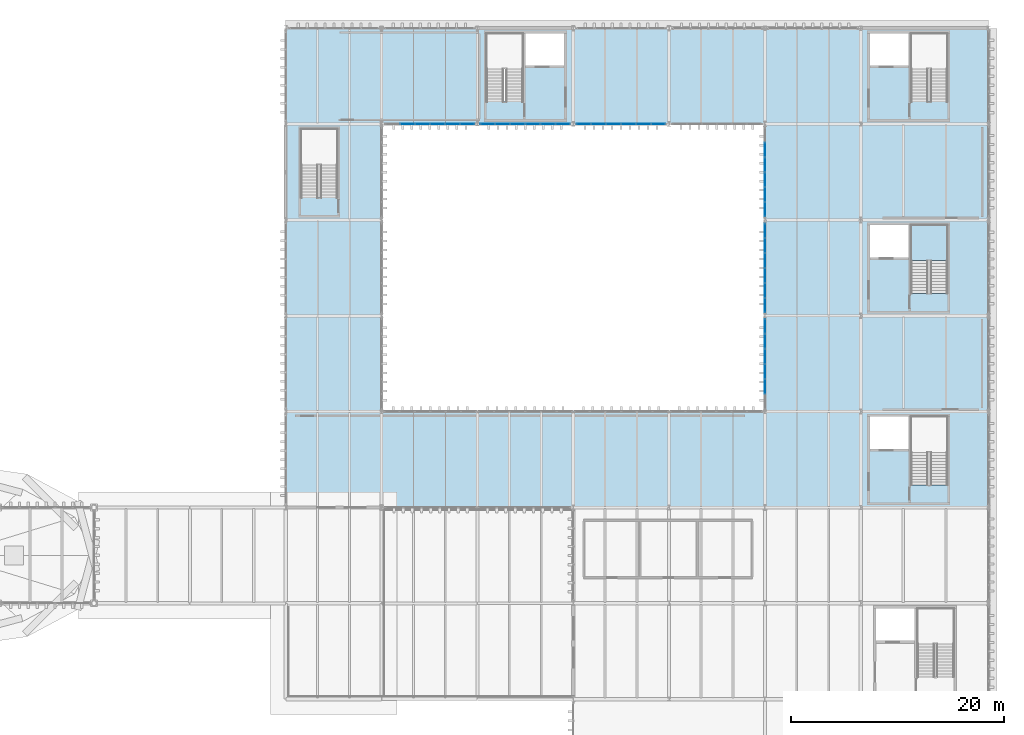
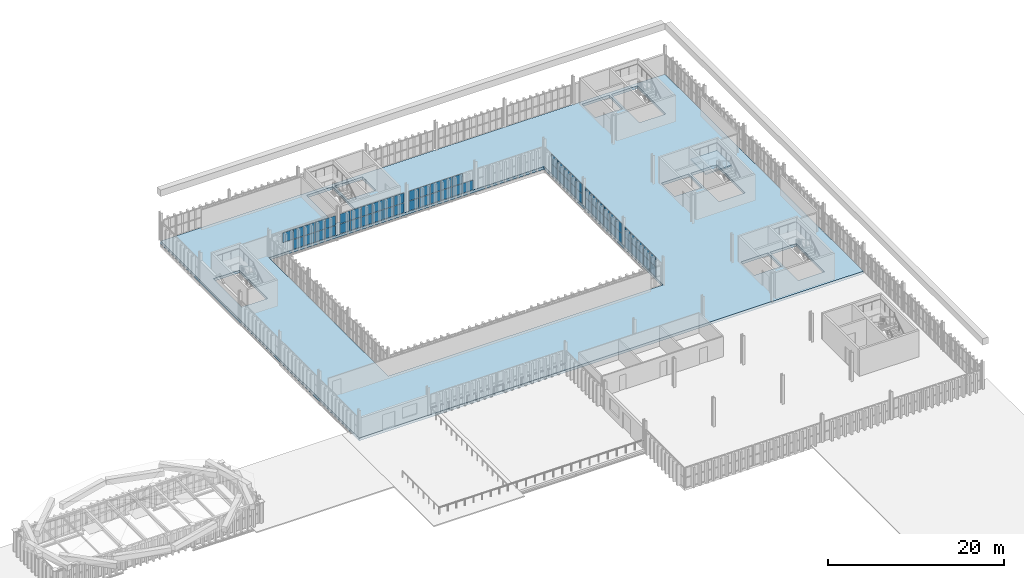
# One storey, part 85 of 102: 64 plates, 2 slabs, 7 elements without a shape of their own.
"""IFC4 building model written with IfcOpenShell, lengths in metres."""

from ifc_helpers import new_model, si_unit, direction, frame, origin, origin_2d, place, context, subcontext, project, spatial, polyline, rectangle, outline, extrude, material, layer, layer_set, type_object, element, aggregate, save


model = new_model("IFC4")

# Units and contexts
model_context = context("Model", 3, precision=1e-05, world=origin(), true_north=direction((0.0, 1.0)))
body_context = subcontext(model_context, "Body", "Model", "MODEL_VIEW")
ifc_project = project(units=[si_unit("LENGTHUNIT", "METRE"), si_unit("AREAUNIT", "SQUARE_METRE"), si_unit("VOLUMEUNIT", "CUBIC_METRE"), si_unit("PLANEANGLEUNIT", "RADIAN"), si_unit("MASSUNIT", "GRAM", prefix="KILO")], contexts=[model_context])

# Site, building, storey
site_placement = place(None, origin())
site = spatial("IfcSite", under=ifc_project, at=site_placement, CompositionType="ELEMENT")
building_placement = place(site_placement, origin())
building = spatial("IfcBuilding", under=site, at=building_placement, Name="Barlavento Convention Centre", CompositionType="ELEMENT")
storey_placement = place(building_placement, frame((0.0, 0.0, 22.800048828125)))
storey = spatial("IfcBuildingStorey", under=building, at=storey_placement, Name="L04", CompositionType="ELEMENT", Elevation=22.800048828125)

# Curtain wall, plates
ifc_material_1 = material(Name="Powder-coated aluminium and Low-E glass", Category="aluminium")
ifc_layer_1 = layer(ifc_material_1, 0.179931640625)
ifc_layer_set_1 = layer_set([ifc_layer_1], Name="ARC-CW-PATIO-B")
curtain_wall_type = type_object("IfcCurtainWallType", Name="ARC-CW-PATIO-B", PredefinedType="NOTDEFINED", material=ifc_layer_set_1)
curtain_wall_1_placement = place(storey_placement, origin())
curtain_wall_1 = element("IfcCurtainWall", 1, at=curtain_wall_1_placement, inside=storey, type_object=curtain_wall_type, Name="L04 unitised curtain wall CW12", PredefinedType="NOTDEFINED")
ifc_material_2 = material(Name="Double-silver Low-E insulated glass", Category="glass")
ifc_layer_2 = layer(ifc_material_2, 0.028076171875)
ifc_layer_set_2 = layer_set([ifc_layer_2], Name="ARC-CWP-GLZ28")
plate_type = type_object("IfcPlateType", Name="ARC-CWP-GLZ28", PredefinedType="CURTAIN_PANEL", material=ifc_layer_set_2)
plate_1_placement = place(storey_placement, frame((137.425048828125, 90.0, 1.455078125), z_axis=(0.0, 0.0, 1.0), x_axis=(1.0, 0.0, 0.0)))
plate_1 = element("IfcPlate", 2, at=plate_1_placement, type_object=plate_type, Name="CW12 panel 2.2", PredefinedType="CURTAIN_PANEL", context=body_context, shape_type="SweptSolid", body=[
    extrude(rectangle(XDim=1.35009765625, YDim=0.028076171875, at=origin_2d()), origin(), (0.0, 0.0, 1.0), 1.3349609375),
])
plate_2_placement = place(storey_placement, frame((138.8349609375, 90.0, 0.06005859375), z_axis=(0.0, 0.0, 1.0), x_axis=(1.0, 0.0, 0.0)))
plate_2 = element("IfcPlate", 3, at=plate_2_placement, type_object=plate_type, Name="CW12 panel 3.1", PredefinedType="CURTAIN_PANEL", context=body_context, shape_type="SweptSolid", body=[
    extrude(rectangle(XDim=1.35009765625, YDim=0.028076171875, at=origin_2d()), origin(), (0.0, 0.0, 1.0), 1.3349609375),
])
plate_3_placement = place(storey_placement, frame((138.8349609375, 90.0, 1.455078125), z_axis=(0.0, 0.0, 1.0), x_axis=(1.0, 0.0, 0.0)))
plate_3 = element("IfcPlate", 4, at=plate_3_placement, type_object=plate_type, Name="CW12 panel 3.2", PredefinedType="CURTAIN_PANEL", context=body_context, shape_type="SweptSolid", body=[
    extrude(rectangle(XDim=1.35009765625, YDim=0.028076171875, at=origin_2d()), origin(), (0.0, 0.0, 1.0), 1.3349609375),
])
plate_4_placement = place(storey_placement, frame((140.2451171875, 90.0, 0.06005859375), z_axis=(0.0, 0.0, 1.0), x_axis=(1.0, 0.0, 0.0)))
plate_4 = element("IfcPlate", 5, at=plate_4_placement, type_object=plate_type, Name="CW12 panel 4.1", PredefinedType="CURTAIN_PANEL", context=body_context, shape_type="SweptSolid", body=[
    extrude(rectangle(XDim=1.35009765625, YDim=0.028076171875, at=origin_2d()), origin(), (0.0, 0.0, 1.0), 1.3349609375),
])
plate_5_placement = place(storey_placement, frame((140.2451171875, 90.0, 1.455078125), z_axis=(0.0, 0.0, 1.0), x_axis=(1.0, 0.0, 0.0)))
plate_5 = element("IfcPlate", 6, at=plate_5_placement, type_object=plate_type, Name="CW12 panel 4.2", PredefinedType="CURTAIN_PANEL", context=body_context, shape_type="SweptSolid", body=[
    extrude(rectangle(XDim=1.35009765625, YDim=0.028076171875, at=origin_2d()), origin(), (0.0, 0.0, 1.0), 1.3349609375),
])
plate_6_placement = place(storey_placement, frame((141.655029296875, 90.0, 0.06005859375), z_axis=(0.0, 0.0, 1.0), x_axis=(1.0, 0.0, 0.0)))
plate_6 = element("IfcPlate", 7, at=plate_6_placement, type_object=plate_type, Name="CW12 panel 5.1", PredefinedType="CURTAIN_PANEL", context=body_context, shape_type="SweptSolid", body=[
    extrude(rectangle(XDim=1.35009765625, YDim=0.028076171875, at=origin_2d()), origin(), (0.0, 0.0, 1.0), 1.3349609375),
])
plate_7_placement = place(storey_placement, frame((141.655029296875, 90.0, 1.455078125), z_axis=(0.0, 0.0, 1.0), x_axis=(1.0, 0.0, 0.0)))
plate_7 = element("IfcPlate", 8, at=plate_7_placement, type_object=plate_type, Name="CW12 panel 5.2", PredefinedType="CURTAIN_PANEL", context=body_context, shape_type="SweptSolid", body=[
    extrude(rectangle(XDim=1.35009765625, YDim=0.028076171875, at=origin_2d()), origin(), (0.0, 0.0, 1.0), 1.3349609375),
])
plate_8_placement = place(storey_placement, frame((143.050048828125, 90.0, 0.06005859375), z_axis=(0.0, 0.0, 1.0), x_axis=(1.0, 0.0, 0.0)))
plate_8 = element("IfcPlate", 9, at=plate_8_placement, type_object=plate_type, Name="CW12 panel 6.1", PredefinedType="CURTAIN_PANEL", context=body_context, shape_type="SweptSolid", body=[
    extrude(rectangle(XDim=1.320068359375, YDim=0.028076171875, at=origin_2d()), origin(), (0.0, 0.0, 1.0), 1.3349609375),
])
plate_9_placement = place(storey_placement, frame((143.050048828125, 90.0, 1.455078125), z_axis=(0.0, 0.0, 1.0), x_axis=(1.0, 0.0, 0.0)))
plate_9 = element("IfcPlate", 10, at=plate_9_placement, type_object=plate_type, Name="CW12 panel 6.2", PredefinedType="CURTAIN_PANEL", context=body_context, shape_type="SweptSolid", body=[
    extrude(rectangle(XDim=1.320068359375, YDim=0.028076171875, at=origin_2d()), origin(), (0.0, 0.0, 1.0), 1.3349609375),
])
aggregate(curtain_wall_1, [plate_1, plate_2, plate_3, plate_4, plate_5, plate_6, plate_7, plate_8, plate_9])

curtain_wall_2_placement = place(storey_placement, origin())
curtain_wall_2 = element("IfcCurtainWall", 11, at=curtain_wall_2_placement, inside=storey, type_object=curtain_wall_type, Name="L04 unitised curtain wall CW12", PredefinedType="NOTDEFINED")
plate_10_placement = place(storey_placement, frame((144.9541015625, 90.0, 0.06005859375), z_axis=(0.0, 0.0, 1.0), x_axis=(1.0, 0.0, 0.0)))
plate_10 = element("IfcPlate", 12, at=plate_10_placement, type_object=plate_type, Name="CW12 panel 1.1", PredefinedType="CURTAIN_PANEL", context=body_context, shape_type="SweptSolid", body=[
    extrude(rectangle(XDim=1.328369140625, YDim=0.028076171875, at=origin_2d()), origin(), (0.0, 0.0, 1.0), 1.3349609375),
])
plate_11_placement = place(storey_placement, frame((144.9541015625, 90.0, 1.455078125), z_axis=(0.0, 0.0, 1.0), x_axis=(1.0, 0.0, 0.0)))
plate_11 = element("IfcPlate", 13, at=plate_11_placement, type_object=plate_type, Name="CW12 panel 1.2", PredefinedType="CURTAIN_PANEL", context=body_context, shape_type="SweptSolid", body=[
    extrude(rectangle(XDim=1.328369140625, YDim=0.028076171875, at=origin_2d()), origin(), (0.0, 0.0, 1.0), 1.3349609375),
])
plate_12_placement = place(storey_placement, frame((146.357421875, 90.0, 0.06005859375), z_axis=(0.0, 0.0, 1.0), x_axis=(1.0, 0.0, 0.0)))
plate_12 = element("IfcPlate", 14, at=plate_12_placement, type_object=plate_type, Name="CW12 panel 2.1", PredefinedType="CURTAIN_PANEL", context=body_context, shape_type="SweptSolid", body=[
    extrude(rectangle(XDim=1.3583984375, YDim=0.028076171875, at=origin_2d()), origin(), (0.0, 0.0, 1.0), 1.3349609375),
])
plate_13_placement = place(storey_placement, frame((146.357421875, 90.0, 1.455078125), z_axis=(0.0, 0.0, 1.0), x_axis=(1.0, 0.0, 0.0)))
plate_13 = element("IfcPlate", 15, at=plate_13_placement, type_object=plate_type, Name="CW12 panel 2.2", PredefinedType="CURTAIN_PANEL", context=body_context, shape_type="SweptSolid", body=[
    extrude(rectangle(XDim=1.3583984375, YDim=0.028076171875, at=origin_2d()), origin(), (0.0, 0.0, 1.0), 1.3349609375),
])
plate_14_placement = place(storey_placement, frame((147.77587890625, 90.0, 0.06005859375), z_axis=(0.0, 0.0, 1.0), x_axis=(1.0, 0.0, 0.0)))
plate_14 = element("IfcPlate", 16, at=plate_14_placement, type_object=plate_type, Name="CW12 panel 3.1", PredefinedType="CURTAIN_PANEL", context=body_context, shape_type="SweptSolid", body=[
    extrude(rectangle(XDim=1.3583984375, YDim=0.028076171875, at=origin_2d()), origin(), (0.0, 0.0, 1.0), 1.3349609375),
])
plate_15_placement = place(storey_placement, frame((147.77587890625, 90.0, 1.455078125), z_axis=(0.0, 0.0, 1.0), x_axis=(1.0, 0.0, 0.0)))
plate_15 = element("IfcPlate", 17, at=plate_15_placement, type_object=plate_type, Name="CW12 panel 3.2", PredefinedType="CURTAIN_PANEL", context=body_context, shape_type="SweptSolid", body=[
    extrude(rectangle(XDim=1.3583984375, YDim=0.028076171875, at=origin_2d()), origin(), (0.0, 0.0, 1.0), 1.3349609375),
])
plate_16_placement = place(storey_placement, frame((149.194091796875, 90.0, 0.06005859375), z_axis=(0.0, 0.0, 1.0), x_axis=(1.0, 0.0, 0.0)))
plate_16 = element("IfcPlate", 18, at=plate_16_placement, type_object=plate_type, Name="CW12 panel 4.1", PredefinedType="CURTAIN_PANEL", context=body_context, shape_type="SweptSolid", body=[
    extrude(rectangle(XDim=1.3583984375, YDim=0.028076171875, at=origin_2d()), origin(), (0.0, 0.0, 1.0), 1.3349609375),
])
plate_17_placement = place(storey_placement, frame((149.194091796875, 90.0, 1.455078125), z_axis=(0.0, 0.0, 1.0), x_axis=(1.0, 0.0, 0.0)))
plate_17 = element("IfcPlate", 19, at=plate_17_placement, type_object=plate_type, Name="CW12 panel 4.2", PredefinedType="CURTAIN_PANEL", context=body_context, shape_type="SweptSolid", body=[
    extrude(rectangle(XDim=1.3583984375, YDim=0.028076171875, at=origin_2d()), origin(), (0.0, 0.0, 1.0), 1.3349609375),
])
plate_18_placement = place(storey_placement, frame((150.612548828125, 90.0, 0.06005859375), z_axis=(0.0, 0.0, 1.0), x_axis=(1.0, 0.0, 0.0)))
plate_18 = element("IfcPlate", 20, at=plate_18_placement, type_object=plate_type, Name="CW12 panel 5.1", PredefinedType="CURTAIN_PANEL", context=body_context, shape_type="SweptSolid", body=[
    extrude(rectangle(XDim=1.3583984375, YDim=0.028076171875, at=origin_2d()), origin(), (0.0, 0.0, 1.0), 1.3349609375),
])
plate_19_placement = place(storey_placement, frame((150.612548828125, 90.0, 1.455078125), z_axis=(0.0, 0.0, 1.0), x_axis=(1.0, 0.0, 0.0)))
plate_19 = element("IfcPlate", 21, at=plate_19_placement, type_object=plate_type, Name="CW12 panel 5.2", PredefinedType="CURTAIN_PANEL", context=body_context, shape_type="SweptSolid", body=[
    extrude(rectangle(XDim=1.3583984375, YDim=0.028076171875, at=origin_2d()), origin(), (0.0, 0.0, 1.0), 1.3349609375),
])
plate_20_placement = place(storey_placement, frame((152.015869140625, 90.0, 0.06005859375), z_axis=(0.0, 0.0, 1.0), x_axis=(1.0, 0.0, 0.0)))
plate_20 = element("IfcPlate", 22, at=plate_20_placement, type_object=plate_type, Name="CW12 panel 6.1", PredefinedType="CURTAIN_PANEL", context=body_context, shape_type="SweptSolid", body=[
    extrude(rectangle(XDim=1.328369140625, YDim=0.028076171875, at=origin_2d()), origin(), (0.0, 0.0, 1.0), 1.3349609375),
])
plate_21_placement = place(storey_placement, frame((152.015869140625, 90.0, 1.455078125), z_axis=(0.0, 0.0, 1.0), x_axis=(1.0, 0.0, 0.0)))
plate_21 = element("IfcPlate", 23, at=plate_21_placement, type_object=plate_type, Name="CW12 panel 6.2", PredefinedType="CURTAIN_PANEL", context=body_context, shape_type="SweptSolid", body=[
    extrude(rectangle(XDim=1.328369140625, YDim=0.028076171875, at=origin_2d()), origin(), (0.0, 0.0, 1.0), 1.3349609375),
])
aggregate(curtain_wall_2, [plate_10, plate_11, plate_12, plate_13, plate_14, plate_15, plate_16, plate_17, plate_18, plate_19, plate_20, plate_21])

curtain_wall_3_placement = place(storey_placement, origin())
curtain_wall_3 = element("IfcCurtainWall", 24, at=curtain_wall_3_placement, inside=storey, type_object=curtain_wall_type, Name="L04 unitised curtain wall CW12", PredefinedType="NOTDEFINED")
plate_22_placement = place(storey_placement, frame((153.9794921875, 90.0, 0.06005859375), z_axis=(0.0, 0.0, 1.0), x_axis=(1.0, 0.0, 0.0)))
plate_22 = element("IfcPlate", 25, at=plate_22_placement, type_object=plate_type, Name="CW12 panel 1.1", PredefinedType="CURTAIN_PANEL", context=body_context, shape_type="SweptSolid", body=[
    extrude(rectangle(XDim=1.319091796875, YDim=0.028076171875, at=origin_2d()), origin(), (0.0, 0.0, 1.0), 1.3349609375),
])
plate_23_placement = place(storey_placement, frame((153.9794921875, 90.0, 1.455078125), z_axis=(0.0, 0.0, 1.0), x_axis=(1.0, 0.0, 0.0)))
plate_23 = element("IfcPlate", 26, at=plate_23_placement, type_object=plate_type, Name="CW12 panel 1.2", PredefinedType="CURTAIN_PANEL", context=body_context, shape_type="SweptSolid", body=[
    extrude(rectangle(XDim=1.319091796875, YDim=0.028076171875, at=origin_2d()), origin(), (0.0, 0.0, 1.0), 1.3349609375),
])
plate_24_placement = place(storey_placement, frame((155.373779296875, 90.0, 0.06005859375), z_axis=(0.0, 0.0, 1.0), x_axis=(1.0, 0.0, 0.0)))
plate_24 = element("IfcPlate", 27, at=plate_24_placement, type_object=plate_type, Name="CW12 panel 2.1", PredefinedType="CURTAIN_PANEL", context=body_context, shape_type="SweptSolid", body=[
    extrude(rectangle(XDim=1.34912109375, YDim=0.028076171875, at=origin_2d()), origin(), (0.0, 0.0, 1.0), 1.3349609375),
])
plate_25_placement = place(storey_placement, frame((155.373779296875, 90.0, 1.455078125), z_axis=(0.0, 0.0, 1.0), x_axis=(1.0, 0.0, 0.0)))
plate_25 = element("IfcPlate", 28, at=plate_25_placement, type_object=plate_type, Name="CW12 panel 2.2", PredefinedType="CURTAIN_PANEL", context=body_context, shape_type="SweptSolid", body=[
    extrude(rectangle(XDim=1.34912109375, YDim=0.028076171875, at=origin_2d()), origin(), (0.0, 0.0, 1.0), 1.3349609375),
])
plate_26_placement = place(storey_placement, frame((156.782958984375, 90.0, 0.06005859375), z_axis=(0.0, 0.0, 1.0), x_axis=(1.0, 0.0, 0.0)))
plate_26 = element("IfcPlate", 29, at=plate_26_placement, type_object=plate_type, Name="CW12 panel 3.1", PredefinedType="CURTAIN_PANEL", context=body_context, shape_type="SweptSolid", body=[
    extrude(rectangle(XDim=1.34912109375, YDim=0.028076171875, at=origin_2d()), origin(), (0.0, 0.0, 1.0), 1.3349609375),
])
plate_27_placement = place(storey_placement, frame((156.782958984375, 90.0, 1.455078125), z_axis=(0.0, 0.0, 1.0), x_axis=(1.0, 0.0, 0.0)))
plate_27 = element("IfcPlate", 30, at=plate_27_placement, type_object=plate_type, Name="CW12 panel 3.2", PredefinedType="CURTAIN_PANEL", context=body_context, shape_type="SweptSolid", body=[
    extrude(rectangle(XDim=1.34912109375, YDim=0.028076171875, at=origin_2d()), origin(), (0.0, 0.0, 1.0), 1.3349609375),
])
plate_28_placement = place(storey_placement, frame((158.192138671875, 90.0, 0.06005859375), z_axis=(0.0, 0.0, 1.0), x_axis=(1.0, 0.0, 0.0)))
plate_28 = element("IfcPlate", 31, at=plate_28_placement, type_object=plate_type, Name="CW12 panel 4.1", PredefinedType="CURTAIN_PANEL", context=body_context, shape_type="SweptSolid", body=[
    extrude(rectangle(XDim=1.34912109375, YDim=0.028076171875, at=origin_2d()), origin(), (0.0, 0.0, 1.0), 1.3349609375),
])
plate_29_placement = place(storey_placement, frame((158.192138671875, 90.0, 1.455078125), z_axis=(0.0, 0.0, 1.0), x_axis=(1.0, 0.0, 0.0)))
plate_29 = element("IfcPlate", 32, at=plate_29_placement, type_object=plate_type, Name="CW12 panel 4.2", PredefinedType="CURTAIN_PANEL", context=body_context, shape_type="SweptSolid", body=[
    extrude(rectangle(XDim=1.34912109375, YDim=0.028076171875, at=origin_2d()), origin(), (0.0, 0.0, 1.0), 1.3349609375),
])
plate_30_placement = place(storey_placement, frame((159.601318359375, 90.0, 0.06005859375), z_axis=(0.0, 0.0, 1.0), x_axis=(1.0, 0.0, 0.0)))
plate_30 = element("IfcPlate", 33, at=plate_30_placement, type_object=plate_type, Name="CW12 panel 5.1", PredefinedType="CURTAIN_PANEL", context=body_context, shape_type="SweptSolid", body=[
    extrude(rectangle(XDim=1.34912109375, YDim=0.028076171875, at=origin_2d()), origin(), (0.0, 0.0, 1.0), 1.3349609375),
])
plate_31_placement = place(storey_placement, frame((159.601318359375, 90.0, 1.455078125), z_axis=(0.0, 0.0, 1.0), x_axis=(1.0, 0.0, 0.0)))
plate_31 = element("IfcPlate", 34, at=plate_31_placement, type_object=plate_type, Name="CW12 panel 5.2", PredefinedType="CURTAIN_PANEL", context=body_context, shape_type="SweptSolid", body=[
    extrude(rectangle(XDim=1.34912109375, YDim=0.028076171875, at=origin_2d()), origin(), (0.0, 0.0, 1.0), 1.3349609375),
])
plate_32_placement = place(storey_placement, frame((160.995361328125, 90.0, 0.06005859375), z_axis=(0.0, 0.0, 1.0), x_axis=(1.0, 0.0, 0.0)))
plate_32 = element("IfcPlate", 35, at=plate_32_placement, type_object=plate_type, Name="CW12 panel 6.1", PredefinedType="CURTAIN_PANEL", context=body_context, shape_type="SweptSolid", body=[
    extrude(rectangle(XDim=1.319091796875, YDim=0.028076171875, at=origin_2d()), origin(), (0.0, 0.0, 1.0), 1.3349609375),
])
aggregate(curtain_wall_3, [plate_22, plate_23, plate_24, plate_25, plate_26, plate_27, plate_28, plate_29, plate_30, plate_31, plate_32])

curtain_wall_4_placement = place(storey_placement, origin())
curtain_wall_4 = element("IfcCurtainWall", 36, at=curtain_wall_4_placement, inside=storey, type_object=curtain_wall_type, Name="L04 unitised curtain wall CW12", PredefinedType="NOTDEFINED")
plate_33_placement = place(storey_placement, frame((171.0, 65.357421875, 0.06005859375), z_axis=(0.0, 0.0, 1.0), x_axis=(0.0, 1.0, 0.0)))
plate_33 = element("IfcPlate", 37, at=plate_33_placement, type_object=plate_type, Name="CW12 panel 2.1", PredefinedType="CURTAIN_PANEL", context=body_context, shape_type="SweptSolid", body=[
    extrude(rectangle(XDim=1.3583984375, YDim=0.028076171875, at=origin_2d()), origin(), (0.0, 0.0, 1.0), 1.3349609375),
])
plate_34_placement = place(storey_placement, frame((171.0, 65.357421875, 1.455078125), z_axis=(0.0, 0.0, 1.0), x_axis=(0.0, 1.0, 0.0)))
plate_34 = element("IfcPlate", 38, at=plate_34_placement, type_object=plate_type, Name="CW12 panel 2.2", PredefinedType="CURTAIN_PANEL", context=body_context, shape_type="SweptSolid", body=[
    extrude(rectangle(XDim=1.3583984375, YDim=0.028076171875, at=origin_2d()), origin(), (0.0, 0.0, 1.0), 1.3349609375),
])
plate_35_placement = place(storey_placement, frame((171.0, 66.77587890625, 0.06005859375), z_axis=(0.0, 0.0, 1.0), x_axis=(0.0, 1.0, 0.0)))
plate_35 = element("IfcPlate", 39, at=plate_35_placement, type_object=plate_type, Name="CW12 panel 3.1", PredefinedType="CURTAIN_PANEL", context=body_context, shape_type="SweptSolid", body=[
    extrude(rectangle(XDim=1.3583984375, YDim=0.028076171875, at=origin_2d()), origin(), (0.0, 0.0, 1.0), 1.3349609375),
])
plate_36_placement = place(storey_placement, frame((171.0, 66.77587890625, 1.455078125), z_axis=(0.0, 0.0, 1.0), x_axis=(0.0, 1.0, 0.0)))
plate_36 = element("IfcPlate", 40, at=plate_36_placement, type_object=plate_type, Name="CW12 panel 3.2", PredefinedType="CURTAIN_PANEL", context=body_context, shape_type="SweptSolid", body=[
    extrude(rectangle(XDim=1.3583984375, YDim=0.028076171875, at=origin_2d()), origin(), (0.0, 0.0, 1.0), 1.3349609375),
])
plate_37_placement = place(storey_placement, frame((171.0, 68.194091796875, 0.06005859375), z_axis=(0.0, 0.0, 1.0), x_axis=(0.0, 1.0, 0.0)))
plate_37 = element("IfcPlate", 41, at=plate_37_placement, type_object=plate_type, Name="CW12 panel 4.1", PredefinedType="CURTAIN_PANEL", context=body_context, shape_type="SweptSolid", body=[
    extrude(rectangle(XDim=1.3583984375, YDim=0.028076171875, at=origin_2d()), origin(), (0.0, 0.0, 1.0), 1.3349609375),
])
plate_38_placement = place(storey_placement, frame((171.0, 68.194091796875, 1.455078125), z_axis=(0.0, 0.0, 1.0), x_axis=(0.0, 1.0, 0.0)))
plate_38 = element("IfcPlate", 42, at=plate_38_placement, type_object=plate_type, Name="CW12 panel 4.2", PredefinedType="CURTAIN_PANEL", context=body_context, shape_type="SweptSolid", body=[
    extrude(rectangle(XDim=1.3583984375, YDim=0.028076171875, at=origin_2d()), origin(), (0.0, 0.0, 1.0), 1.3349609375),
])
plate_39_placement = place(storey_placement, frame((171.0, 69.612548828125, 0.06005859375), z_axis=(0.0, 0.0, 1.0), x_axis=(0.0, 1.0, 0.0)))
plate_39 = element("IfcPlate", 43, at=plate_39_placement, type_object=plate_type, Name="CW12 panel 5.1", PredefinedType="CURTAIN_PANEL", context=body_context, shape_type="SweptSolid", body=[
    extrude(rectangle(XDim=1.3583984375, YDim=0.028076171875, at=origin_2d()), origin(), (0.0, 0.0, 1.0), 1.3349609375),
])
plate_40_placement = place(storey_placement, frame((171.0, 69.612548828125, 1.455078125), z_axis=(0.0, 0.0, 1.0), x_axis=(0.0, 1.0, 0.0)))
plate_40 = element("IfcPlate", 44, at=plate_40_placement, type_object=plate_type, Name="CW12 panel 5.2", PredefinedType="CURTAIN_PANEL", context=body_context, shape_type="SweptSolid", body=[
    extrude(rectangle(XDim=1.3583984375, YDim=0.028076171875, at=origin_2d()), origin(), (0.0, 0.0, 1.0), 1.3349609375),
])
plate_41_placement = place(storey_placement, frame((171.0, 71.015869140625, 0.06005859375), z_axis=(0.0, 0.0, 1.0), x_axis=(0.0, 1.0, 0.0)))
plate_41 = element("IfcPlate", 45, at=plate_41_placement, type_object=plate_type, Name="CW12 panel 6.1", PredefinedType="CURTAIN_PANEL", context=body_context, shape_type="SweptSolid", body=[
    extrude(rectangle(XDim=1.328369140625, YDim=0.028076171875, at=origin_2d()), origin(), (0.0, 0.0, 1.0), 1.3349609375),
])
plate_42_placement = place(storey_placement, frame((171.0, 71.015869140625, 1.455078125), z_axis=(0.0, 0.0, 1.0), x_axis=(0.0, 1.0, 0.0)))
plate_42 = element("IfcPlate", 46, at=plate_42_placement, type_object=plate_type, Name="CW12 panel 6.2", PredefinedType="CURTAIN_PANEL", context=body_context, shape_type="SweptSolid", body=[
    extrude(rectangle(XDim=1.328369140625, YDim=0.028076171875, at=origin_2d()), origin(), (0.0, 0.0, 1.0), 1.3349609375),
])
aggregate(curtain_wall_4, [plate_33, plate_34, plate_35, plate_36, plate_37, plate_38, plate_39, plate_40, plate_41, plate_42])

curtain_wall_5_placement = place(storey_placement, origin())
curtain_wall_5 = element("IfcCurtainWall", 47, at=curtain_wall_5_placement, inside=storey, type_object=curtain_wall_type, Name="L04 unitised curtain wall CW12", PredefinedType="NOTDEFINED")
plate_43_placement = place(storey_placement, frame((171.0, 72.9794921875, 0.06005859375), z_axis=(0.0, 0.0, 1.0), x_axis=(0.0, 1.0, 0.0)))
plate_43 = element("IfcPlate", 48, at=plate_43_placement, type_object=plate_type, Name="CW12 panel 1.1", PredefinedType="CURTAIN_PANEL", context=body_context, shape_type="SweptSolid", body=[
    extrude(rectangle(XDim=1.319091796875, YDim=0.028076171875, at=origin_2d()), origin(), (0.0, 0.0, 1.0), 1.3349609375),
])
plate_44_placement = place(storey_placement, frame((171.0, 72.9794921875, 1.455078125), z_axis=(0.0, 0.0, 1.0), x_axis=(0.0, 1.0, 0.0)))
plate_44 = element("IfcPlate", 49, at=plate_44_placement, type_object=plate_type, Name="CW12 panel 1.2", PredefinedType="CURTAIN_PANEL", context=body_context, shape_type="SweptSolid", body=[
    extrude(rectangle(XDim=1.319091796875, YDim=0.028076171875, at=origin_2d()), origin(), (0.0, 0.0, 1.0), 1.3349609375),
])
plate_45_placement = place(storey_placement, frame((171.0, 74.373779296875, 0.06005859375), z_axis=(0.0, 0.0, 1.0), x_axis=(0.0, 1.0, 0.0)))
plate_45 = element("IfcPlate", 50, at=plate_45_placement, type_object=plate_type, Name="CW12 panel 2.1", PredefinedType="CURTAIN_PANEL", context=body_context, shape_type="SweptSolid", body=[
    extrude(rectangle(XDim=1.34912109375, YDim=0.028076171875, at=origin_2d()), origin(), (0.0, 0.0, 1.0), 1.3349609375),
])
plate_46_placement = place(storey_placement, frame((171.0, 74.373779296875, 1.455078125), z_axis=(0.0, 0.0, 1.0), x_axis=(0.0, 1.0, 0.0)))
plate_46 = element("IfcPlate", 51, at=plate_46_placement, type_object=plate_type, Name="CW12 panel 2.2", PredefinedType="CURTAIN_PANEL", context=body_context, shape_type="SweptSolid", body=[
    extrude(rectangle(XDim=1.34912109375, YDim=0.028076171875, at=origin_2d()), origin(), (0.0, 0.0, 1.0), 1.3349609375),
])
plate_47_placement = place(storey_placement, frame((171.0, 75.782958984375, 0.06005859375), z_axis=(0.0, 0.0, 1.0), x_axis=(0.0, 1.0, 0.0)))
plate_47 = element("IfcPlate", 52, at=plate_47_placement, type_object=plate_type, Name="CW12 panel 3.1", PredefinedType="CURTAIN_PANEL", context=body_context, shape_type="SweptSolid", body=[
    extrude(rectangle(XDim=1.34912109375, YDim=0.028076171875, at=origin_2d()), origin(), (0.0, 0.0, 1.0), 1.3349609375),
])
plate_48_placement = place(storey_placement, frame((171.0, 75.782958984375, 1.455078125), z_axis=(0.0, 0.0, 1.0), x_axis=(0.0, 1.0, 0.0)))
plate_48 = element("IfcPlate", 53, at=plate_48_placement, type_object=plate_type, Name="CW12 panel 3.2", PredefinedType="CURTAIN_PANEL", context=body_context, shape_type="SweptSolid", body=[
    extrude(rectangle(XDim=1.34912109375, YDim=0.028076171875, at=origin_2d()), origin(), (0.0, 0.0, 1.0), 1.3349609375),
])
plate_49_placement = place(storey_placement, frame((171.0, 77.192138671875, 0.06005859375), z_axis=(0.0, 0.0, 1.0), x_axis=(0.0, 1.0, 0.0)))
plate_49 = element("IfcPlate", 54, at=plate_49_placement, type_object=plate_type, Name="CW12 panel 4.1", PredefinedType="CURTAIN_PANEL", context=body_context, shape_type="SweptSolid", body=[
    extrude(rectangle(XDim=1.34912109375, YDim=0.028076171875, at=origin_2d()), origin(), (0.0, 0.0, 1.0), 1.3349609375),
])
plate_50_placement = place(storey_placement, frame((171.0, 77.192138671875, 1.455078125), z_axis=(0.0, 0.0, 1.0), x_axis=(0.0, 1.0, 0.0)))
plate_50 = element("IfcPlate", 55, at=plate_50_placement, type_object=plate_type, Name="CW12 panel 4.2", PredefinedType="CURTAIN_PANEL", context=body_context, shape_type="SweptSolid", body=[
    extrude(rectangle(XDim=1.34912109375, YDim=0.028076171875, at=origin_2d()), origin(), (0.0, 0.0, 1.0), 1.3349609375),
])
plate_51_placement = place(storey_placement, frame((171.0, 78.601318359375, 0.06005859375), z_axis=(0.0, 0.0, 1.0), x_axis=(0.0, 1.0, 0.0)))
plate_51 = element("IfcPlate", 56, at=plate_51_placement, type_object=plate_type, Name="CW12 panel 5.1", PredefinedType="CURTAIN_PANEL", context=body_context, shape_type="SweptSolid", body=[
    extrude(rectangle(XDim=1.34912109375, YDim=0.028076171875, at=origin_2d()), origin(), (0.0, 0.0, 1.0), 1.3349609375),
])
plate_52_placement = place(storey_placement, frame((171.0, 78.601318359375, 1.455078125), z_axis=(0.0, 0.0, 1.0), x_axis=(0.0, 1.0, 0.0)))
plate_52 = element("IfcPlate", 57, at=plate_52_placement, type_object=plate_type, Name="CW12 panel 5.2", PredefinedType="CURTAIN_PANEL", context=body_context, shape_type="SweptSolid", body=[
    extrude(rectangle(XDim=1.34912109375, YDim=0.028076171875, at=origin_2d()), origin(), (0.0, 0.0, 1.0), 1.3349609375),
])
plate_53_placement = place(storey_placement, frame((171.0, 79.995361328125, 0.06005859375), z_axis=(0.0, 0.0, 1.0), x_axis=(0.0, 1.0, 0.0)))
plate_53 = element("IfcPlate", 58, at=plate_53_placement, type_object=plate_type, Name="CW12 panel 6.1", PredefinedType="CURTAIN_PANEL", context=body_context, shape_type="SweptSolid", body=[
    extrude(rectangle(XDim=1.319091796875, YDim=0.028076171875, at=origin_2d()), origin(), (0.0, 0.0, 1.0), 1.3349609375),
])
plate_54_placement = place(storey_placement, frame((171.0, 79.995361328125, 1.455078125), z_axis=(0.0, 0.0, 1.0), x_axis=(0.0, 1.0, 0.0)))
plate_54 = element("IfcPlate", 59, at=plate_54_placement, type_object=plate_type, Name="CW12 panel 6.2", PredefinedType="CURTAIN_PANEL", context=body_context, shape_type="SweptSolid", body=[
    extrude(rectangle(XDim=1.319091796875, YDim=0.028076171875, at=origin_2d()), origin(), (0.0, 0.0, 1.0), 1.3349609375),
])
aggregate(curtain_wall_5, [plate_43, plate_44, plate_45, plate_46, plate_47, plate_48, plate_49, plate_50, plate_51, plate_52, plate_53, plate_54])

curtain_wall_6_placement = place(storey_placement, origin())
curtain_wall_6 = element("IfcCurtainWall", 60, at=curtain_wall_6_placement, inside=storey, type_object=curtain_wall_type, Name="L04 unitised curtain wall CW12", PredefinedType="NOTDEFINED")
plate_55_placement = place(storey_placement, frame((171.0, 82.00048828125, 0.06005859375), z_axis=(0.0, 0.0, 1.0), x_axis=(0.0, 1.0, 0.0)))
plate_55 = element("IfcPlate", 61, at=plate_55_placement, type_object=plate_type, Name="CW12 panel 1.1", PredefinedType="CURTAIN_PANEL", context=body_context, shape_type="SweptSolid", body=[
    extrude(rectangle(XDim=1.310791015625, YDim=0.028076171875, at=origin_2d()), origin(), (0.0, 0.0, 1.0), 1.3349609375),
])
plate_56_placement = place(storey_placement, frame((171.0, 82.00048828125, 1.455078125), z_axis=(0.0, 0.0, 1.0), x_axis=(0.0, 1.0, 0.0)))
plate_56 = element("IfcPlate", 62, at=plate_56_placement, type_object=plate_type, Name="CW12 panel 1.2", PredefinedType="CURTAIN_PANEL", context=body_context, shape_type="SweptSolid", body=[
    extrude(rectangle(XDim=1.310791015625, YDim=0.028076171875, at=origin_2d()), origin(), (0.0, 0.0, 1.0), 1.3349609375),
])
plate_57_placement = place(storey_placement, frame((171.0, 83.38623046875, 0.06005859375), z_axis=(0.0, 0.0, 1.0), x_axis=(0.0, 1.0, 0.0)))
plate_57 = element("IfcPlate", 63, at=plate_57_placement, type_object=plate_type, Name="CW12 panel 2.1", PredefinedType="CURTAIN_PANEL", context=body_context, shape_type="SweptSolid", body=[
    extrude(rectangle(XDim=1.3408203125, YDim=0.028076171875, at=origin_2d()), origin(), (0.0, 0.0, 1.0), 1.3349609375),
])
plate_58_placement = place(storey_placement, frame((171.0, 83.38623046875, 1.455078125), z_axis=(0.0, 0.0, 1.0), x_axis=(0.0, 1.0, 0.0)))
plate_58 = element("IfcPlate", 64, at=plate_58_placement, type_object=plate_type, Name="CW12 panel 2.2", PredefinedType="CURTAIN_PANEL", context=body_context, shape_type="SweptSolid", body=[
    extrude(rectangle(XDim=1.3408203125, YDim=0.028076171875, at=origin_2d()), origin(), (0.0, 0.0, 1.0), 1.3349609375),
])
plate_59_placement = place(storey_placement, frame((171.0, 84.787109375, 0.06005859375), z_axis=(0.0, 0.0, 1.0), x_axis=(0.0, 1.0, 0.0)))
plate_59 = element("IfcPlate", 65, at=plate_59_placement, type_object=plate_type, Name="CW12 panel 3.1", PredefinedType="CURTAIN_PANEL", context=body_context, shape_type="SweptSolid", body=[
    extrude(rectangle(XDim=1.3408203125, YDim=0.028076171875, at=origin_2d()), origin(), (0.0, 0.0, 1.0), 1.3349609375),
])
plate_60_placement = place(storey_placement, frame((171.0, 84.787109375, 1.455078125), z_axis=(0.0, 0.0, 1.0), x_axis=(0.0, 1.0, 0.0)))
plate_60 = element("IfcPlate", 66, at=plate_60_placement, type_object=plate_type, Name="CW12 panel 3.2", PredefinedType="CURTAIN_PANEL", context=body_context, shape_type="SweptSolid", body=[
    extrude(rectangle(XDim=1.3408203125, YDim=0.028076171875, at=origin_2d()), origin(), (0.0, 0.0, 1.0), 1.3349609375),
])
plate_61_placement = place(storey_placement, frame((171.0, 86.18798828125, 0.06005859375), z_axis=(0.0, 0.0, 1.0), x_axis=(0.0, 1.0, 0.0)))
plate_61 = element("IfcPlate", 67, at=plate_61_placement, type_object=plate_type, Name="CW12 panel 4.1", PredefinedType="CURTAIN_PANEL", context=body_context, shape_type="SweptSolid", body=[
    extrude(rectangle(XDim=1.3408203125, YDim=0.028076171875, at=origin_2d()), origin(), (0.0, 0.0, 1.0), 1.3349609375),
])
plate_62_placement = place(storey_placement, frame((171.0, 86.18798828125, 1.455078125), z_axis=(0.0, 0.0, 1.0), x_axis=(0.0, 1.0, 0.0)))
plate_62 = element("IfcPlate", 68, at=plate_62_placement, type_object=plate_type, Name="CW12 panel 4.2", PredefinedType="CURTAIN_PANEL", context=body_context, shape_type="SweptSolid", body=[
    extrude(rectangle(XDim=1.3408203125, YDim=0.028076171875, at=origin_2d()), origin(), (0.0, 0.0, 1.0), 1.3349609375),
])
plate_63_placement = place(storey_placement, frame((171.0, 87.5888671875, 0.06005859375), z_axis=(0.0, 0.0, 1.0), x_axis=(0.0, 1.0, 0.0)))
plate_63 = element("IfcPlate", 69, at=plate_63_placement, type_object=plate_type, Name="CW12 panel 5.1", PredefinedType="CURTAIN_PANEL", context=body_context, shape_type="SweptSolid", body=[
    extrude(rectangle(XDim=1.3408203125, YDim=0.028076171875, at=origin_2d()), origin(), (0.0, 0.0, 1.0), 1.3349609375),
])
plate_64_placement = place(storey_placement, frame((171.0, 87.5888671875, 1.455078125), z_axis=(0.0, 0.0, 1.0), x_axis=(0.0, 1.0, 0.0)))
plate_64 = element("IfcPlate", 70, at=plate_64_placement, type_object=plate_type, Name="CW12 panel 5.2", PredefinedType="CURTAIN_PANEL", context=body_context, shape_type="SweptSolid", body=[
    extrude(rectangle(XDim=1.3408203125, YDim=0.028076171875, at=origin_2d()), origin(), (0.0, 0.0, 1.0), 1.3349609375),
])
aggregate(curtain_wall_6, [plate_55, plate_56, plate_57, plate_58, plate_59, plate_60, plate_61, plate_62, plate_63, plate_64])

# Stair, slab
ifc_material_3 = material(Name="Concrete C40/50", Category="concrete")
stair_type = type_object("IfcStairType", Name="ARC-STR-DOG-1620", PredefinedType="HALF_TURN_STAIR", material=ifc_material_3)
stair_placement = place(storey_placement, origin())
stair = element("IfcStair", 71, at=stair_placement, inside=storey, type_object=stair_type, Name="L04 ST07", PredefinedType="HALF_TURN_STAIR")
ifc_layer_3 = layer(ifc_material_3, 0.199951171875)
ifc_layer_set_3 = layer_set([ifc_layer_3], Name="ARC-SLB-LND-200")
slab_type_1 = type_object("IfcSlabType", Name="ARC-SLB-LND-200", PredefinedType="LANDING", material=ifc_layer_set_3)
slab_1_placement = place(storey_placement, frame((0.0, 0.0, 1.800048828125)))
slab_1 = element("IfcSlab", 72, at=slab_1_placement, type_object=slab_type_1, Name="ST07 landing 1", PredefinedType="LANDING", context=body_context, shape_type="SweptSolid", body=[
    extrude(outline(polyline([(188.14990234375, 77.169921875), (188.14990234375, 80.530029296875), (184.7099609375, 80.530029296875), (184.7099609375, 77.169921875), (188.14990234375, 77.169921875)])), origin(), (0.0, 0.0, 1.0), 0.199951171875),
])
aggregate(stair, [slab_1])

# Slab
ifc_layer_4 = layer(ifc_material_3, 0.360107421875)
ifc_layer_set_4 = layer_set([ifc_layer_4], Name="STR-SLB-FLR-360")
slab_type_2 = type_object("IfcSlabType", Name="STR-SLB-FLR-360", PredefinedType="FLOOR", material=ifc_layer_set_4)
slab_2_placement = place(storey_placement, frame((0.0, 0.0, -0.360107421875)))
element("IfcSlab", 73, at=slab_2_placement, inside=storey, type_object=slab_type_2, Name="L04 structural slab FS-402", PredefinedType="FLOOR", context=body_context, shape_type="SweptSolid", body=[
    extrude(outline(polyline([(126.0, 54.0), (192.0, 54.0), (192.0, 99.0), (126.0, 99.0), (126.0, 54.0)]), holes=[polyline([(135.0, 63.0), (171.0, 63.0), (171.0, 90.0), (135.0, 90.0), (135.0, 63.0)]), polyline([(188.14990234375, 56.114990234375), (188.14990234375, 62.530029296875), (184.7099609375, 62.530029296875), (184.7099609375, 56.114990234375), (188.14990234375, 56.114990234375)]), polyline([(180.85009765625, 59.4951171875), (184.4599609375, 59.4951171875), (184.4599609375, 62.530029296875), (180.85009765625, 62.530029296875), (180.85009765625, 59.4951171875)]), polyline([(188.14990234375, 74.114990234375), (188.14990234375, 80.530029296875), (184.7099609375, 80.530029296875), (184.7099609375, 74.114990234375), (188.14990234375, 74.114990234375)]), polyline([(180.85009765625, 77.4951171875), (184.4599609375, 77.4951171875), (184.4599609375, 80.530029296875), (180.85009765625, 80.530029296875), (180.85009765625, 77.4951171875)]), polyline([(188.14990234375, 92.114990234375), (188.14990234375, 98.530029296875), (184.7099609375, 98.530029296875), (184.7099609375, 92.114990234375), (188.14990234375, 92.114990234375)]), polyline([(180.85009765625, 95.4951171875), (184.4599609375, 95.4951171875), (184.4599609375, 98.530029296875), (180.85009765625, 98.530029296875), (180.85009765625, 95.4951171875)]), polyline([(148.2900390625, 92.114990234375), (148.2900390625, 98.530029296875), (144.85009765625, 98.530029296875), (144.85009765625, 92.114990234375), (148.2900390625, 92.114990234375)]), polyline([(148.5400390625, 95.4951171875), (152.14990234375, 95.4951171875), (152.14990234375, 98.530029296875), (148.5400390625, 98.530029296875), (148.5400390625, 95.4951171875)]), polyline([(130.85009765625, 83.094970703125), (130.85009765625, 89.530029296875), (127.449951171875, 89.530029296875), (127.449951171875, 83.094970703125), (130.85009765625, 83.094970703125)])]), origin(), (0.0, 0.0, 1.0), 0.360107421875),
])

save(model, "model.ifc")
